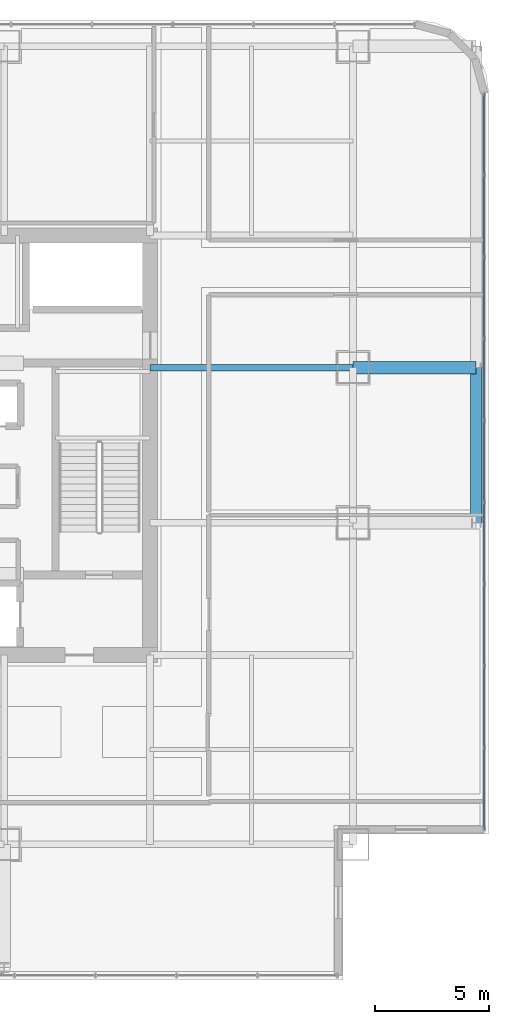
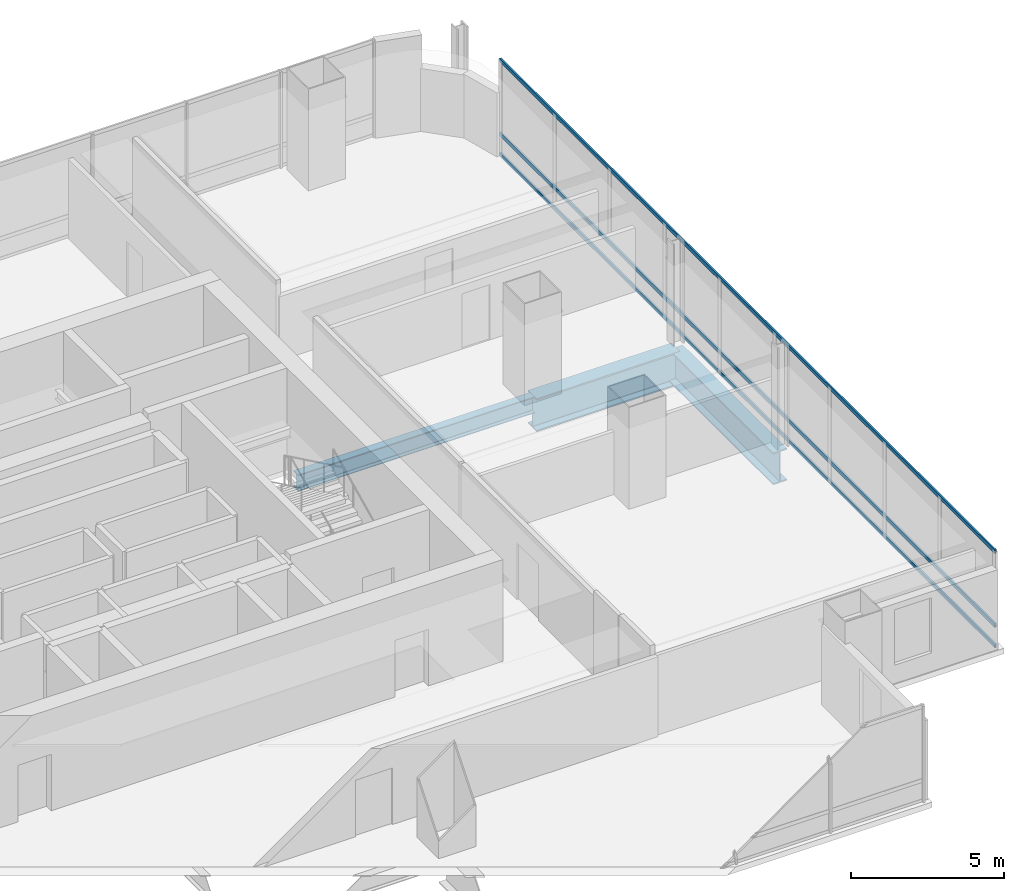
# One storey, part 19 of 37: 3 beams, 3 members, 1 element without a shape of its own.
"""IFC4 building model written with IfcOpenShell, lengths in metres."""

from ifc_helpers import new_model, si_unit, direction, frame, origin, origin_2d, place, context, subcontext, project, spatial, hollow_rectangle, i_section, extrude, material, material_profile, profile_set, type_object, element, aggregate, save


model = new_model("IFC4")

# Units and contexts
model_context = context("Model", 3, precision=1e-05, world=origin(), true_north=direction((0.0, 1.0)))
body_context = subcontext(model_context, "Body", "Model", "MODEL_VIEW")
ifc_project = project(units=[si_unit("LENGTHUNIT", "METRE"), si_unit("AREAUNIT", "SQUARE_METRE"), si_unit("VOLUMEUNIT", "CUBIC_METRE"), si_unit("PLANEANGLEUNIT", "RADIAN"), si_unit("MASSUNIT", "GRAM", prefix="KILO")], contexts=[model_context])

# Site, building, storey
site_placement = place(None, origin())
site = spatial("IfcSite", under=ifc_project, at=site_placement, CompositionType="ELEMENT")
building_placement = place(site_placement, origin())
building = spatial("IfcBuilding", under=site, at=building_placement, Name="Punatoya Terracotta Tower", CompositionType="ELEMENT")
storey_placement = place(building_placement, frame((0.0, 0.0, 224.85009765625)))
storey = spatial("IfcBuildingStorey", under=building, at=storey_placement, Name="L53", CompositionType="ELEMENT", Elevation=224.85009765625)

# Beams
ifc_material_1 = material(Name="Steel S355", Category="steel")
ifc_material_profile_1 = material_profile(ifc_material_1, i_section(OverallWidth=0.300048828125, OverallDepth=0.64990234375, WebThickness=0.01611328125, FlangeThickness=0.031005859375, FilletRadius=0.01806640625, at=origin_2d()))
ifc_profile_set_1 = profile_set([ifc_material_profile_1], Name="Steel S355")
beam_type_1 = type_object("IfcBeamType", Name="BM-PRI-650", PredefinedType="BEAM", material=ifc_profile_set_1)
beam_1_placement = place(storey_placement, frame((10.199951171875, 3.39990234375, -0.545166015625), z_axis=(1.0, 0.0, 0.0), x_axis=(0.0, 1.0, 0.0)))
element("IfcBeam", 1, at=beam_1_placement, inside=storey, type_object=beam_type_1, Name="BM-L53-PR-EE", PredefinedType="BEAM", context=body_context, shape_type="SweptSolid", body=[
    extrude(i_section(OverallWidth=0.300048828125, OverallDepth=0.64990234375, WebThickness=0.01611328125, FlangeThickness=0.031005859375, FilletRadius=0.01806640625, at=origin_2d()), origin(), (0.0, 0.0, 1.0), 8.900146484375),
])
ifc_material_2 = material(Name="Steel S460", Category="steel")
ifc_material_profile_2 = material_profile(ifc_material_2, i_section(OverallWidth=0.56005859375, OverallDepth=1.320068359375, WebThickness=0.035888671875, FlangeThickness=0.054931640625, FilletRadius=0.01806640625, at=origin_2d()))
ifc_profile_set_2 = profile_set([ifc_material_profile_2], Name="Steel S460")
beam_type_2 = type_object("IfcBeamType", Name="BM-TG-BLK", PredefinedType="BEAM", material=ifc_profile_set_2)
beam_2_placement = place(storey_placement, frame((19.10009765625, 3.39990234375, -0.880126953125), z_axis=(1.0, 0.0, 0.0), x_axis=(0.0, 1.0, 0.0)))
element("IfcBeam", 2, at=beam_2_placement, inside=storey, type_object=beam_type_2, Name="BM-L53-CANT-E3", PredefinedType="BEAM", context=body_context, shape_type="SweptSolid", body=[
    extrude(i_section(OverallWidth=0.56005859375, OverallDepth=1.320068359375, WebThickness=0.035888671875, FlangeThickness=0.054931640625, FilletRadius=0.01806640625, at=origin_2d()), origin(), (0.0, 0.0, 1.0), 5.39990234375),
])
ifc_material_profile_3 = material_profile(ifc_material_2, i_section(OverallWidth=0.52001953125, OverallDepth=1.280029296875, WebThickness=0.031982421875, FlangeThickness=0.050048828125, FilletRadius=0.01806640625, at=origin_2d()))
ifc_profile_set_3 = profile_set([ifc_material_profile_3], Name="Steel S460")
beam_type_3 = type_object("IfcBeamType", Name="BM-TG-NCK", PredefinedType="BEAM", material=ifc_profile_set_3)
beam_3_placement = place(storey_placement, frame((24.5, -3.39990234375, -0.860107421875), z_axis=(0.0, 1.0, 0.0), x_axis=(-1.0, 0.0, 0.0)))
element("IfcBeam", 3, at=beam_3_placement, inside=storey, type_object=beam_type_3, Name="BM-L53-PER-E1", PredefinedType="BEAM", context=body_context, shape_type="SweptSolid", body=[
    extrude(i_section(OverallWidth=0.52001953125, OverallDepth=1.280029296875, WebThickness=0.031982421875, FlangeThickness=0.050048828125, FilletRadius=0.01806640625, at=origin_2d()), origin(), (0.0, 0.0, 1.0), 6.7998046875),
])

# Curtain wall, members
ifc_material_3 = material(Name="Aluminium 6063-T6 + Double Low-E Glass", Category="aluminium")
curtain_wall_type = type_object("IfcCurtainWallType", Name="CW-M2", PredefinedType="NOTDEFINED", material=ifc_material_3)
curtain_wall_placement = place(storey_placement, origin())
curtain_wall = element("IfcCurtainWall", 4, at=curtain_wall_placement, inside=storey, type_object=curtain_wall_type, Name="L53 Curtain Wall CW-L53-E04-1", PredefinedType="NOTDEFINED")
ifc_material_4 = material(Name="Aluminium 6063-T6", Category="aluminium")
ifc_material_profile_4 = material_profile(ifc_material_4, hollow_rectangle(XDim=0.068115234375, YDim=0.14990234375, WallThickness=0.00390625, at=origin_2d()))
ifc_profile_set_4 = profile_set([ifc_material_profile_4], Name="Aluminium 6063-T6")
member_type = type_object("IfcMemberType", Name="CW-TRN-TYP", PredefinedType="USERDEFINED", material=ifc_profile_set_4)
member_1_placement = place(storey_placement, frame((24.85009765625, -16.85009765625, 0.039794921875), z_axis=(0.0, 1.0, 0.0), x_axis=(-1.0, 0.0, 0.0)))
member_1 = element("IfcMember", 5, at=member_1_placement, type_object=member_type, Name="CW-L53-E04-1 Transom 1", ObjectType="TRANSOM", PredefinedType="USERDEFINED", context=body_context, shape_type="SweptSolid", body=[
    extrude(hollow_rectangle(XDim=0.068115234375, YDim=0.14990234375, WallThickness=0.00390625, at=origin_2d()), origin(), (0.0, 0.0, 1.0), 32.287109375),
])
member_2_placement = place(storey_placement, frame((24.85009765625, -16.85009765625, 0.849853515625), z_axis=(0.0, 1.0, 0.0), x_axis=(-1.0, 0.0, 0.0)))
member_2 = element("IfcMember", 6, at=member_2_placement, type_object=member_type, Name="CW-L53-E04-1 Transom 2", ObjectType="TRANSOM", PredefinedType="USERDEFINED", context=body_context, shape_type="SweptSolid", body=[
    extrude(hollow_rectangle(XDim=0.068115234375, YDim=0.14990234375, WallThickness=0.00390625, at=origin_2d()), origin(), (0.0, 0.0, 1.0), 32.287109375),
])
member_3_placement = place(storey_placement, frame((24.85009765625, -16.85009765625, 3.789794921875), z_axis=(0.0, 1.0, 0.0), x_axis=(-1.0, 0.0, 0.0)))
member_3 = element("IfcMember", 7, at=member_3_placement, type_object=member_type, Name="CW-L53-E04-1 Transom 3", ObjectType="TRANSOM", PredefinedType="USERDEFINED", context=body_context, shape_type="SweptSolid", body=[
    extrude(hollow_rectangle(XDim=0.068115234375, YDim=0.14990234375, WallThickness=0.00390625, at=origin_2d()), origin(), (0.0, 0.0, 1.0), 32.287109375),
])
aggregate(curtain_wall, [member_1, member_2, member_3])

save(model, "model.ifc")
